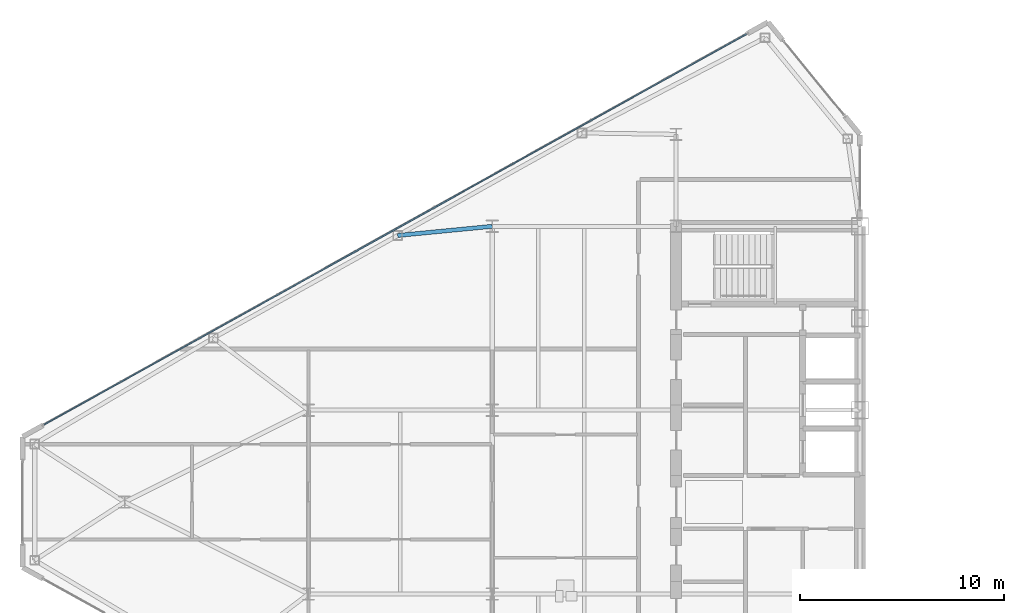
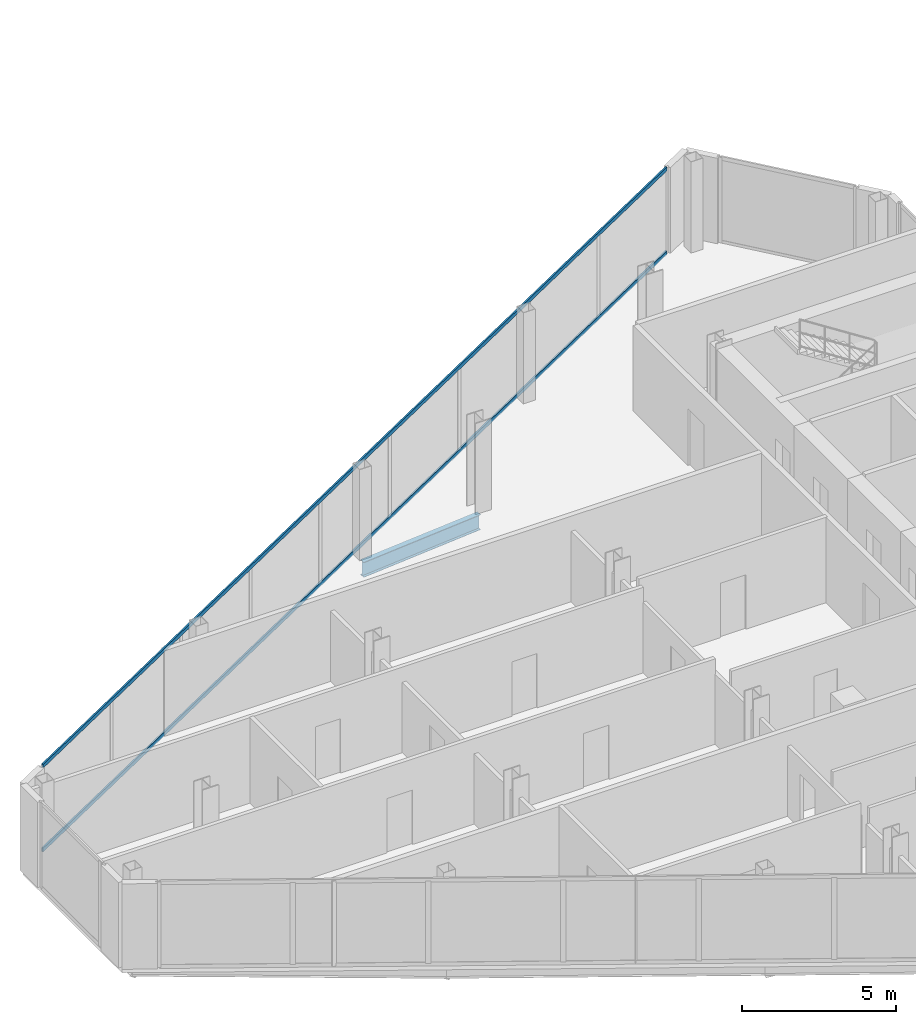
# One storey, part 9 of 26: 2 members, 1 beam, 1 element without a shape of its own.
"""IFC4 building model written with IfcOpenShell, lengths in metres."""

from ifc_helpers import new_model, si_unit, direction, frame, origin, origin_2d, place, context, subcontext, project, spatial, rectangle, i_section, extrude, source, transform, mapped, material, layer, layer_set, material_profile, profile_set, type_object, type_shapes, element, aggregate, save


model = new_model("IFC4")

# Units and contexts
model_context = context("Model", 3, precision=1e-05, world=origin(), true_north=direction((0.0, 1.0)))
body_context = subcontext(model_context, "Body", "Model", "MODEL_VIEW")
ifc_project = project(units=[si_unit("LENGTHUNIT", "METRE"), si_unit("AREAUNIT", "SQUARE_METRE"), si_unit("VOLUMEUNIT", "CUBIC_METRE"), si_unit("PLANEANGLEUNIT", "RADIAN"), si_unit("MASSUNIT", "GRAM", prefix="KILO")], contexts=[model_context])

# Site, building, storey
site_placement = place(None, origin())
site = spatial("IfcSite", under=ifc_project, at=site_placement, CompositionType="ELEMENT")
building_placement = place(site_placement, origin())
building = spatial("IfcBuilding", under=site, at=building_placement, Name="Seokmaru Belvedere", CompositionType="ELEMENT")
storey_placement = place(building_placement, frame((0.0, 0.0, 181.5)))
storey = spatial("IfcBuildingStorey", under=building, at=storey_placement, Name="L48", CompositionType="ELEMENT", Elevation=181.5)

# Beam
ifc_material_1 = material(Name="Steel SM355 (355 MPa)", Category="steel")
ifc_material_profile_1 = material_profile(ifc_material_1, i_section(OverallWidth=0.199951171875, OverallDepth=0.60009765625, WebThickness=0.010986328125, FlangeThickness=0.01708984375, at=origin_2d()), Name="H-600x200x11x17")
ifc_profile_set_1 = profile_set([ifc_material_profile_1], Name="Steel SM355 (355 MPa)")
beam_type = type_object("IfcBeamType", Name="Primary Floor Girder H-600", PredefinedType="BEAM", material=ifc_profile_set_1)
shared_shape_1 = source(origin(), body_context, "Body", "SweptSolid", [
    extrude(i_section(OverallWidth=0.199951171875, OverallDepth=0.60009765625, WebThickness=0.010986328125, FlangeThickness=0.01708984375, at=origin_2d()), origin(), (0.0, 0.0, 1.0), 4.65087890625),
])
type_shapes(beam_type, [shared_shape_1])
beam_placement = place(storey_placement, frame((-50.129150390625, 13.051025390625, -0.52001953125), z_axis=(0.995329534874, 0.09653557379, 0.0), x_axis=(-0.09653557379, 0.995329534874, 0.0)))
element("IfcBeam", 1, at=beam_placement, inside=storey, type_object=beam_type, Name="L48 W Flank Radial Floor Girder N-2", PredefinedType="BEAM", context=body_context, shape_type="MappedRepresentation", body=[
    mapped(shared_shape_1, transform((0.0, 0.0, 0.0), scale=1.0)),
])

# Curtain wall, members
ifc_material_2 = material(Name="Bronze Triple Insulating Glass", Category="glass")
ifc_layer = layer(ifc_material_2, 0.179931640625)
ifc_layer_set = layer_set([ifc_layer], Name="Bronze Triple Insulating Glass")
curtain_wall_type = type_object("IfcCurtainWallType", Name="High-Rise Wind-Corner Curtain Wall System CW-5", PredefinedType="NOTDEFINED", material=ifc_layer_set)
curtain_wall_placement = place(storey_placement, origin())
curtain_wall = element("IfcCurtainWall", 2, at=curtain_wall_placement, inside=storey, type_object=curtain_wall_type, Name="L48 Curtain Wall WF3", PredefinedType="NOTDEFINED")
ifc_material_3 = material(Name="Anodised Bronze Aluminium", Category="aluminium")
ifc_material_profile_2 = material_profile(ifc_material_3, rectangle(XDim=0.06494140625, YDim=0.14990234375, at=origin_2d()), Name="CW-T-65x150")
ifc_profile_set_2 = profile_set([ifc_material_profile_2], Name="Anodised Bronze Aluminium")
member_type = type_object("IfcMemberType", Name="Bronze Unitised Transom 65x150", PredefinedType="USERDEFINED", material=ifc_profile_set_2)
shared_shape_2 = source(origin(), body_context, "Body", "SweptSolid", [
    extrude(rectangle(XDim=0.06494140625, YDim=0.14990234375, at=origin_2d()), origin(), (0.0, 0.0, 1.0), 39.33544921875),
])
type_shapes(member_type, [shared_shape_2])
member_1_placement = place(storey_placement, frame((-33.061767578125, 22.909423828125, 0.032470703125), z_axis=(-0.873932045133, -0.486048125693, 0.0), x_axis=(0.486048125693, -0.873932045133, 0.0)))
member_1 = element("IfcMember", 3, at=member_1_placement, type_object=member_type, Name="CW:L48:WF3 Continuous Transom 1", ObjectType="TRANSOM", PredefinedType="USERDEFINED", context=body_context, shape_type="MappedRepresentation", body=[
    mapped(shared_shape_2, transform((0.0, 0.0, 0.0), scale=1.0)),
])
member_2_placement = place(storey_placement, frame((-33.061767578125, 22.909423828125, 3.347412109375), z_axis=(-0.873932045133, -0.486048125693, 0.0), x_axis=(0.486048125693, -0.873932045133, 0.0)))
member_2 = element("IfcMember", 4, at=member_2_placement, type_object=member_type, Name="CW:L48:WF3 Continuous Transom 2", ObjectType="TRANSOM", PredefinedType="USERDEFINED", context=body_context, shape_type="MappedRepresentation", body=[
    mapped(shared_shape_2, transform((0.0, 0.0, 0.0), scale=1.0)),
])
aggregate(curtain_wall, [member_1, member_2])

save(model, "model.ifc")
